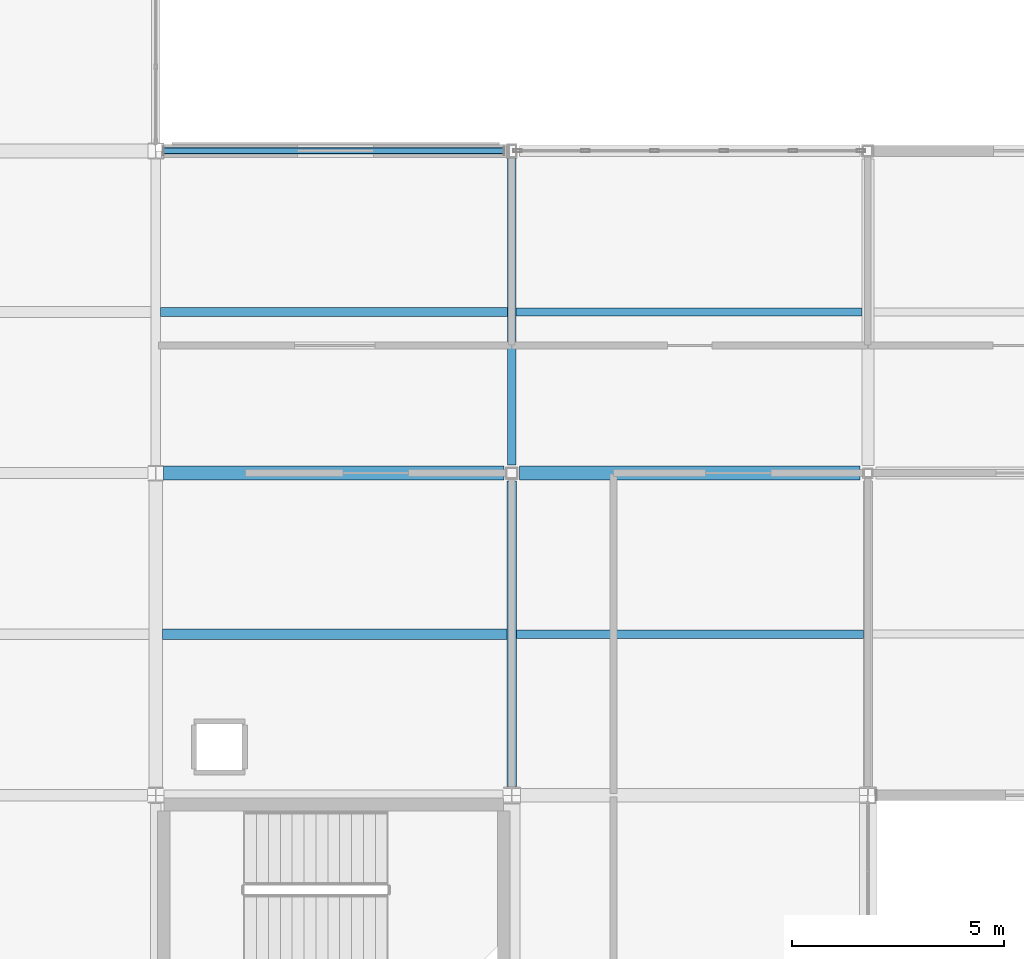
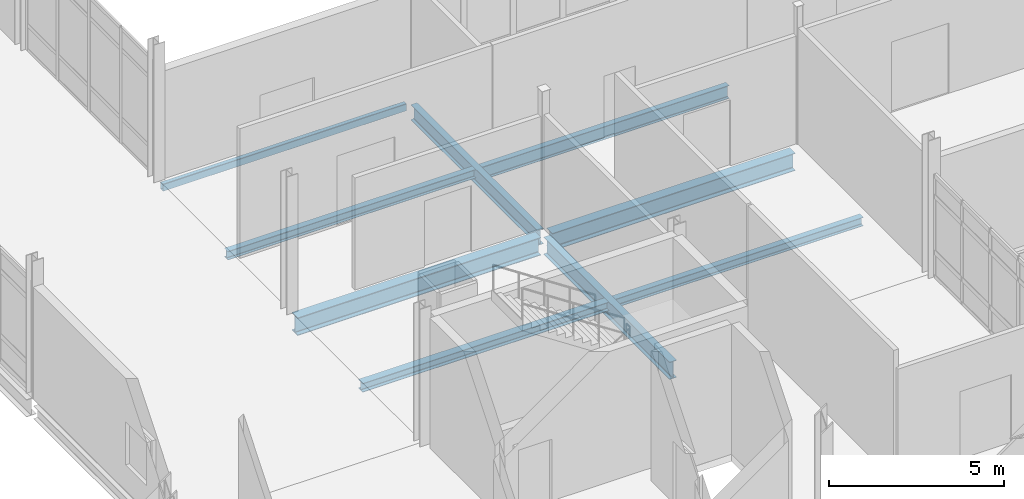
# One storey, part 61 of 186: 9 beams.
"""IFC4 building model written with IfcOpenShell, lengths in metres."""

from ifc_helpers import new_model, si_unit, direction, frame, origin, origin_2d, place, context, subcontext, project, spatial, hollow_rectangle, i_section, extrude, material, material_profile, profile_set, type_object, element, save


model = new_model("IFC4")

# Units and contexts
model_context = context("Model", 3, precision=1e-05, world=origin(), true_north=direction((0.0, 1.0)))
body_context = subcontext(model_context, "Body", "Model", "MODEL_VIEW")
ifc_project = project(units=[si_unit("LENGTHUNIT", "METRE"), si_unit("AREAUNIT", "SQUARE_METRE"), si_unit("VOLUMEUNIT", "CUBIC_METRE"), si_unit("PLANEANGLEUNIT", "RADIAN"), si_unit("MASSUNIT", "GRAM", prefix="KILO")], contexts=[model_context])

# Site, building, storey
site_placement = place(None, origin())
site = spatial("IfcSite", under=ifc_project, at=site_placement, CompositionType="ELEMENT")
building_placement = place(site_placement, origin())
building = spatial("IfcBuilding", under=site, at=building_placement, Name="Calvrana Isthmian Art Gallery", CompositionType="ELEMENT")
storey_placement = place(building_placement, frame((0.0, 0.0, 5.39990234375)))
storey = spatial("IfcBuildingStorey", under=building, at=storey_placement, Name="L01", CompositionType="ELEMENT", Elevation=5.39990234375)

# Beams
ifc_material_1 = material(Name="Steel ASTM A992 Gr 50", Category="steel")
ifc_material_profile_1 = material_profile(ifc_material_1, i_section(OverallWidth=0.208984375, OverallDepth=0.532958984375, WebThickness=0.01025390625, FlangeThickness=0.015625, FilletRadius=0.02099609375, at=origin_2d()), Name="W21X62")
ifc_profile_set_1 = profile_set([ifc_material_profile_1], Name="Steel ASTM A992 Gr 50")
beam_type_1 = type_object("IfcBeamType", Name="BM-G-W21X62", PredefinedType="BEAM", material=ifc_profile_set_1)
beam_1_placement = place(storey_placement, frame((72.0, 54.58642578125, -0.511474609375), z_axis=(0.0, 1.0, 0.0), x_axis=(-1.0, 0.0, 0.0)))
element("IfcBeam", 1, at=beam_1_placement, inside=storey, type_object=beam_type_1, Name="Girder Y L01 10/H-I", PredefinedType="BEAM", context=body_context, shape_type="SweptSolid", body=[
    extrude(i_section(OverallWidth=0.208984375, OverallDepth=0.532958984375, WebThickness=0.01025390625, FlangeThickness=0.015625, FilletRadius=0.02099609375, at=origin_2d()), origin(), (0.0, 0.0, 1.0), 7.235595703125),
])
ifc_material_profile_2 = material_profile(ifc_material_1, i_section(OverallWidth=0.324951171875, OverallDepth=0.612060546875, WebThickness=0.0126953125, FlangeThickness=0.01904296875, FilletRadius=0.02197265625, at=origin_2d()), Name="W24X104")
ifc_profile_set_2 = profile_set([ifc_material_profile_2], Name="Steel ASTM A992 Gr 50")
beam_type_2 = type_object("IfcBeamType", Name="BM-G-W24X104", PredefinedType="BEAM", material=ifc_profile_set_2)
beam_2_placement = place(storey_placement, frame((72.1865234375, 54.39990234375, -0.55078125), z_axis=(1.0, 0.0, 0.0), x_axis=(0.0, 1.0, 0.0)))
element("IfcBeam", 2, at=beam_2_placement, inside=storey, type_object=beam_type_2, Name="Girder X L01 10-11/H", PredefinedType="BEAM", context=body_context, shape_type="SweptSolid", body=[
    extrude(i_section(OverallWidth=0.324951171875, OverallDepth=0.612060546875, WebThickness=0.0126953125, FlangeThickness=0.01904296875, FilletRadius=0.02197265625, at=origin_2d()), origin(), (0.0, 0.0, 1.0), 8.02685546875),
])
ifc_material_profile_3 = material_profile(ifc_material_1, i_section(OverallWidth=0.327880859375, OverallDepth=0.6220703125, WebThickness=0.015380859375, FlangeThickness=0.0244140625, FilletRadius=0.02197265625, at=origin_2d()), Name="W24X131")
ifc_profile_set_3 = profile_set([ifc_material_profile_3], Name="Steel ASTM A992 Gr 50")
beam_type_3 = type_object("IfcBeamType", Name="BM-G-W24X131", PredefinedType="BEAM", material=ifc_profile_set_3)
beam_3_placement = place(storey_placement, frame((63.783935546875, 54.39990234375, -0.555908203125), z_axis=(1.0, 0.0, 0.0), x_axis=(0.0, 1.0, 0.0)))
element("IfcBeam", 3, at=beam_3_placement, inside=storey, type_object=beam_type_3, Name="Girder X L01 09-10/H", PredefinedType="BEAM", context=body_context, shape_type="SweptSolid", body=[
    extrude(i_section(OverallWidth=0.327880859375, OverallDepth=0.6220703125, WebThickness=0.015380859375, FlangeThickness=0.0244140625, FilletRadius=0.02197265625, at=origin_2d()), origin(), (0.0, 0.0, 1.0), 8.029541015625),
])
ifc_material_profile_4 = material_profile(ifc_material_1, i_section(OverallWidth=0.22802734375, OverallDepth=0.60693359375, WebThickness=0.01123046875, FlangeThickness=0.017333984375, FilletRadius=0.02197265625, at=origin_2d()), Name="W24X76")
ifc_profile_set_4 = profile_set([ifc_material_profile_4], Name="Steel ASTM A992 Gr 50")
beam_type_4 = type_object("IfcBeamType", Name="BM-G-W24X76", PredefinedType="BEAM", material=ifc_profile_set_4)
beam_4_placement = place(storey_placement, frame((72.0, 47.008544921875, -0.54833984375), z_axis=(0.0, 1.0, 0.0), x_axis=(-1.0, 0.0, 0.0)))
element("IfcBeam", 4, at=beam_4_placement, inside=storey, type_object=beam_type_4, Name="Girder Y L01 10/G-H", PredefinedType="BEAM", context=body_context, shape_type="SweptSolid", body=[
    extrude(i_section(OverallWidth=0.22802734375, OverallDepth=0.60693359375, WebThickness=0.01123046875, FlangeThickness=0.017333984375, FilletRadius=0.02197265625, at=origin_2d()), origin(), (0.0, 0.0, 1.0), 7.204833984375),
])
ifc_material_profile_5 = material_profile(ifc_material_1, i_section(OverallWidth=0.202880859375, OverallDepth=0.302001953125, WebThickness=0.007568359375, FlangeThickness=0.01318359375, FilletRadius=0.01611328125, at=origin_2d()), Name="W12X40")
ifc_profile_set_5 = profile_set([ifc_material_profile_5], Name="Steel ASTM A992 Gr 50")
beam_type_5 = type_object("IfcBeamType", Name="BM-J-W12X40", PredefinedType="JOIST", material=ifc_profile_set_5)
for number, where, z_axis, x_axis, name in (
    (5, (63.714111328125, 58.199951171875, -0.39599609375), (1.0, 0.0, 0.0), (0.0, 1.0, 0.0), "Composite joist L01 bay 08-07"),
    (6, (72.114013671875, 50.60009765625, -0.39599609375), (1.0, 0.0, 0.0), (0.0, 1.0, 0.0), "Composite joist L01 bay 09-06"),
):
    element("IfcBeam", number, at=place(storey_placement, frame(where, z_axis=z_axis, x_axis=x_axis)), inside=storey, type_object=beam_type_5, Name=name, PredefinedType="JOIST", context=body_context, shape_type="SweptSolid", body=[
        extrude(i_section(OverallWidth=0.202880859375, OverallDepth=0.302001953125, WebThickness=0.007568359375, FlangeThickness=0.01318359375, FilletRadius=0.01611328125, at=origin_2d()), origin(), (0.0, 0.0, 1.0), 8.181396484375),
    ])
ifc_material_profile_6 = material_profile(ifc_material_1, i_section(OverallWidth=0.25390625, OverallDepth=0.306884765625, WebThickness=0.0087890625, FlangeThickness=0.0146484375, FilletRadius=0.01611328125, at=origin_2d()), Name="W12X53")
ifc_profile_set_6 = profile_set([ifc_material_profile_6], Name="Steel ASTM A992 Gr 50")
beam_type_6 = type_object("IfcBeamType", Name="BM-J-W12X53", PredefinedType="JOIST", material=ifc_profile_set_6)
beam_5_placement = place(storey_placement, frame((63.762451171875, 50.60009765625, -0.3984375), z_axis=(1.0, 0.0, 0.0), x_axis=(0.0, 1.0, 0.0)))
element("IfcBeam", 7, at=beam_5_placement, inside=storey, type_object=beam_type_6, Name="Composite joist L01 bay 08-06", PredefinedType="JOIST", context=body_context, shape_type="SweptSolid", body=[
    extrude(i_section(OverallWidth=0.25390625, OverallDepth=0.306884765625, WebThickness=0.0087890625, FlangeThickness=0.0146484375, FilletRadius=0.01611328125, at=origin_2d()), origin(), (0.0, 0.0, 1.0), 8.12353515625),
])
ifc_material_profile_7 = material_profile(ifc_material_1, i_section(OverallWidth=0.19091796875, OverallDepth=0.45703125, WebThickness=0.009033203125, FlangeThickness=0.014404296875, FilletRadius=0.02001953125, at=origin_2d()), Name="W18X50")
ifc_profile_set_7 = profile_set([ifc_material_profile_7], Name="Steel ASTM A992 Gr 50")
beam_type_7 = type_object("IfcBeamType", Name="BM-J-W18X50", PredefinedType="JOIST", material=ifc_profile_set_7)
beam_6_placement = place(storey_placement, frame((72.1044921875, 58.199951171875, -0.473388671875), z_axis=(1.0, 0.0, 0.0), x_axis=(0.0, 1.0, 0.0)))
element("IfcBeam", 8, at=beam_6_placement, inside=storey, type_object=beam_type_7, Name="Composite joist L01 bay 09-07", PredefinedType="JOIST", context=body_context, shape_type="SweptSolid", body=[
    extrude(i_section(OverallWidth=0.19091796875, OverallDepth=0.45703125, WebThickness=0.009033203125, FlangeThickness=0.014404296875, FilletRadius=0.02001953125, at=origin_2d()), origin(), (0.0, 0.0, 1.0), 8.156005859375),
])
ifc_material_2 = material(Name="Steel ASTM A500 Gr C", Category="steel")
ifc_material_profile_8 = material_profile(ifc_material_2, hollow_rectangle(XDim=0.15234375, YDim=0.25390625, WallThickness=0.009521484375, OuterFilletRadius=0.01904296875, at=origin_2d()), Name="HSS254X152X9.5")
ifc_profile_set_8 = profile_set([ifc_material_profile_8], Name="Steel ASTM A500 Gr C")
beam_type_8 = type_object("IfcBeamType", Name="BM-SP-HSS254", PredefinedType="SPANDREL", material=ifc_profile_set_8)
beam_7_placement = place(storey_placement, frame((63.785400390625, 62.0, -0.371826171875), z_axis=(1.0, 0.0, 0.0), x_axis=(0.0, 1.0, 0.0)))
element("IfcBeam", 9, at=beam_7_placement, inside=storey, type_object=beam_type_8, Name="Girder X L01 09-10/I", PredefinedType="SPANDREL", context=body_context, shape_type="SweptSolid", body=[
    extrude(hollow_rectangle(XDim=0.15234375, YDim=0.25390625, WallThickness=0.009521484375, OuterFilletRadius=0.01904296875, at=origin_2d()), origin(), (0.0, 0.0, 1.0), 8.030517578125),
])

save(model, "model.ifc")
